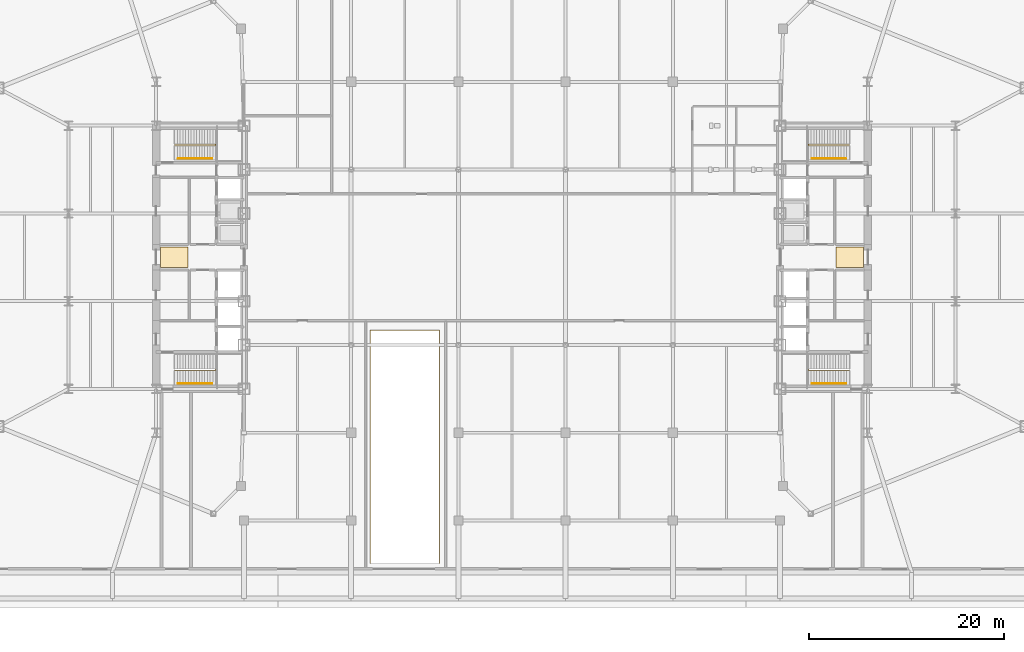
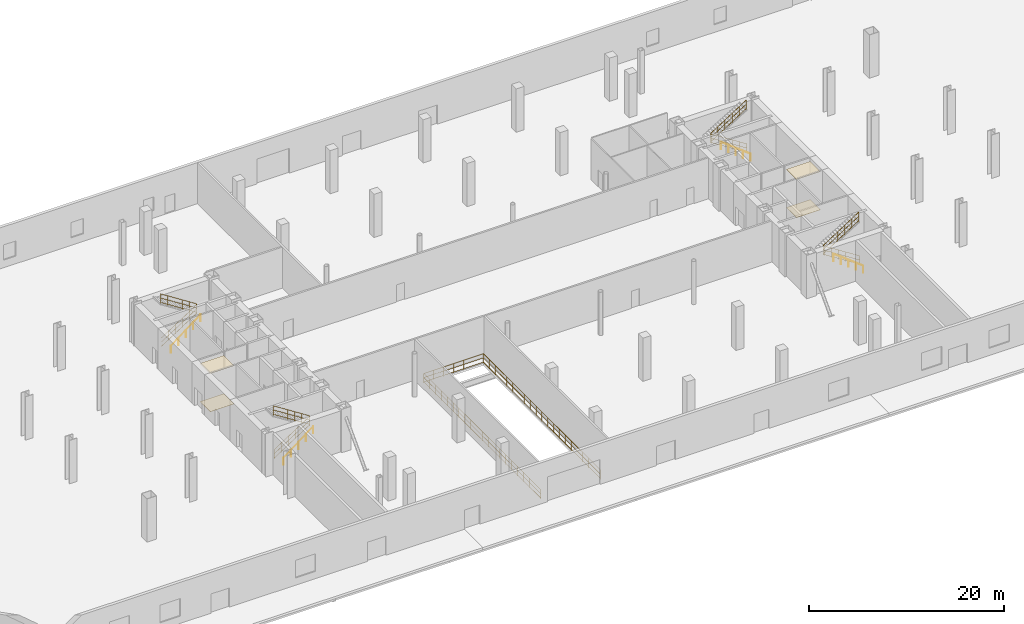
# One storey, part 19 of 21: 9 railings, 4 coverings.
"""IFC4 building model written with IfcOpenShell, lengths in metres."""

from ifc_helpers import new_model, si_unit, direction, frame, origin, origin_2d, place, context, subcontext, project, spatial, polyline, circle, outline, extrude, material, layer, layer_set, type_object, element, save


model = new_model("IFC4")

# Units and contexts
model_context = context("Model", 3, precision=1e-05, world=origin(), true_north=direction((0.0, 1.0)))
body_context = subcontext(model_context, "Body", "Model", "MODEL_VIEW")
ifc_project = project(units=[si_unit("LENGTHUNIT", "METRE"), si_unit("AREAUNIT", "SQUARE_METRE"), si_unit("VOLUMEUNIT", "CUBIC_METRE"), si_unit("PLANEANGLEUNIT", "RADIAN"), si_unit("MASSUNIT", "GRAM", prefix="KILO")], contexts=[model_context])

# Site, building, storey
site_placement = place(None, origin())
site = spatial("IfcSite", under=ifc_project, at=site_placement, CompositionType="ELEMENT")
building_placement = place(site_placement, origin())
building = spatial("IfcBuilding", under=site, at=building_placement, Name="Seokmaru Belvedere", CompositionType="ELEMENT")
storey_placement = place(building_placement, origin())
storey = spatial("IfcBuildingStorey", under=building, at=storey_placement, Name="L00", CompositionType="ELEMENT", Elevation=0.0)

# Coverings
ifc_material_1 = material(Name="Honed Incheon Granite Stone", Category="masonry")
ifc_layer_1 = layer(ifc_material_1, 0.030029296875)
ifc_layer_set_1 = layer_set([ifc_layer_1], Name="Honed Incheon Granite Stone")
covering_type_1 = type_object("IfcCoveringType", Name="Honed Granite Lobby Floor Finish 30", PredefinedType="FLOORING", material=ifc_layer_set_1)
covering_1_placement = place(storey_placement, origin())
element("IfcCovering", 1, at=covering_1_placement, inside=storey, type_object=covering_type_1, Name="L00 W Foyer Floor Finish", PredefinedType="FLOORING", context=body_context, shape_type="SweptSolid", body=[
    extrude(outline(polyline([(-36.050048828125, -1.050048828125), (-33.25, -1.050048828125), (-33.25, 1.050048828125), (-36.050048828125, 1.050048828125), (-36.050048828125, -1.050048828125)])), origin(), (0.0, 0.0, 1.0), 0.030029296875),
])
covering_2_placement = place(storey_placement, origin())
element("IfcCovering", 2, at=covering_2_placement, inside=storey, type_object=covering_type_1, Name="L00 E Foyer Floor Finish", PredefinedType="FLOORING", context=body_context, shape_type="SweptSolid", body=[
    extrude(outline(polyline([(33.25, -1.050048828125), (36.050048828125, -1.050048828125), (36.050048828125, 1.050048828125), (33.25, 1.050048828125), (33.25, -1.050048828125)])), origin(), (0.0, 0.0, 1.0), 0.030029296875),
])
ifc_material_2 = material(Name="Fire-Rated Gypsum Shaftwall")
ifc_layer_2 = layer(ifc_material_2, 0.02490234375)
ifc_layer_set_2 = layer_set([ifc_layer_2], Name="Fire-Rated Gypsum Shaftwall")
covering_type_2 = type_object("IfcCoveringType", Name="Perforated Acoustic Gypsum Suspended Ceiling 25", PredefinedType="CEILING", material=ifc_layer_set_2)
covering_3_placement = place(storey_placement, frame((0.0, 0.0, 4.77001953125)))
element("IfcCovering", 3, at=covering_3_placement, inside=storey, type_object=covering_type_2, Name="L00 W Lift Foyer Acoustic Ceiling", PredefinedType="CEILING", context=body_context, shape_type="SweptSolid", body=[
    extrude(outline(polyline([(-36.050048828125, -1.050048828125), (-33.25, -1.050048828125), (-33.25, 1.050048828125), (-36.050048828125, 1.050048828125), (-36.050048828125, -1.050048828125)])), origin(), (0.0, 0.0, 1.0), 0.02490234375),
])
covering_4_placement = place(storey_placement, frame((0.0, 0.0, 4.77001953125)))
element("IfcCovering", 4, at=covering_4_placement, inside=storey, type_object=covering_type_2, Name="L00 E Lift Foyer Acoustic Ceiling", PredefinedType="CEILING", context=body_context, shape_type="SweptSolid", body=[
    extrude(outline(polyline([(33.25, -1.050048828125), (36.050048828125, -1.050048828125), (36.050048828125, 1.050048828125), (33.25, 1.050048828125), (33.25, -1.050048828125)])), origin(), (0.0, 0.0, 1.0), 0.02490234375),
])

# Railings
ifc_material_3 = material(Name="Stainless Steel 316", Category="steel")
railing_type_1 = type_object("IfcRailingType", Name="Stainless Steel Wall and Flight Handrail 900", PredefinedType="HANDRAIL", material=ifc_material_3)
for number, where, name in (
    (5, (-34.25, -12.949951171875, 0.0), "L00 Stair ST-W1 Wall Handrail"),
    (6, (-34.25, 10.110107421875, 0.0), "L00 Stair ST-W2 Wall Handrail"),
):
    element("IfcRailing", number, at=place(storey_placement, frame(where)), inside=storey, type_object=railing_type_1, Name=name, PredefinedType="HANDRAIL", context=body_context, shape_type="SweptSolid", body=[
        extrude(circle(Radius=0.02392578125, at=origin_2d()), frame((0.0, 0.0, 0.8759765625), z_axis=(0.791787597706, 0.0, 0.610796529229), x_axis=(0.0, 1.0, 0.0)), (0.0, 0.0, 1.0), 4.42041015625),
        extrude(circle(Radius=0.02099609375, at=origin_2d()), origin(), (0.0, 0.0, 1.0), 0.851806640625),
        extrude(circle(Radius=0.02099609375, at=origin_2d()), frame((0.875, 0.0, 0.675048828125)), (0.0, 0.0, 1.0), 0.851806640625),
        extrude(circle(Radius=0.02099609375, at=origin_2d()), frame((1.75, 0.0, 1.35009765625)), (0.0, 0.0, 1.0), 0.851806640625),
        extrude(circle(Radius=0.02099609375, at=origin_2d()), frame((2.625, 0.0, 2.02490234375)), (0.0, 0.0, 1.0), 0.851806640625),
        extrude(circle(Radius=0.02099609375, at=origin_2d()), frame((3.5, 0.0, 2.699951171875)), (0.0, 0.0, 1.0), 0.851806640625),
    ])
for number, where, name in (
    (7, (34.25, -12.949951171875, 0.0), "L00 Stair ST-E1 Wall Handrail"),
    (8, (34.25, 10.110107421875, 0.0), "L00 Stair ST-E2 Wall Handrail"),
):
    element("IfcRailing", number, at=place(storey_placement, frame(where)), inside=storey, type_object=railing_type_1, Name=name, PredefinedType="HANDRAIL", context=body_context, shape_type="SweptSolid", body=[
        extrude(circle(Radius=0.02392578125, at=origin_2d()), frame((0.0, 0.0, 0.8759765625), z_axis=(-0.791787597706, 0.0, 0.610796529229), x_axis=(0.0, -1.0, 0.0)), (0.0, 0.0, 1.0), 4.42041015625),
        extrude(circle(Radius=0.02099609375, at=origin_2d()), origin(), (0.0, 0.0, 1.0), 0.851806640625),
        extrude(circle(Radius=0.02099609375, at=origin_2d()), frame((-0.875, 0.0, 0.675048828125)), (0.0, 0.0, 1.0), 0.851806640625),
        extrude(circle(Radius=0.02099609375, at=origin_2d()), frame((-1.75, 0.0, 1.35009765625)), (0.0, 0.0, 1.0), 0.851806640625),
        extrude(circle(Radius=0.02099609375, at=origin_2d()), frame((-2.625, 0.0, 2.02490234375)), (0.0, 0.0, 1.0), 0.851806640625),
        extrude(circle(Radius=0.02099609375, at=origin_2d()), frame((-3.5, 0.0, 2.699951171875)), (0.0, 0.0, 1.0), 0.851806640625),
    ])
railing_type_2 = type_object("IfcRailingType", Name="Stair Well and Atrium Steel Guardrail 1200", PredefinedType="GUARDRAIL", material=ifc_material_3)
railing_1_placement = place(storey_placement, frame((-34.60009765625, -11.60009765625, 0.0)))
element("IfcRailing", 9, at=railing_1_placement, inside=storey, type_object=railing_type_2, Name="L00 Stair ST-W1 Inner Well Guardrail", PredefinedType="GUARDRAIL", context=body_context, shape_type="SweptSolid", body=[
    extrude(circle(Radius=0.02392578125, at=origin_2d()), frame((0.0, 0.0, 1.17578125), z_axis=(0.841194361566, 0.0, 0.540732878665), x_axis=(0.0, 1.0, 0.0)), (0.0, 0.0, 1.0), 4.9931640625),
    extrude(circle(Radius=0.02392578125, at=origin_2d()), frame((0.0, 0.0, 0.1201171875), z_axis=(0.841194361566, 0.0, 0.540732878665), x_axis=(0.0, 1.0, 0.0)), (0.0, 0.0, 1.0), 4.9931640625),
    extrude(circle(Radius=0.02392578125, at=origin_2d()), frame((0.0, 0.0, 0.659912109375), z_axis=(0.841194361566, 0.0, 0.540732878665), x_axis=(0.0, 1.0, 0.0)), (0.0, 0.0, 1.0), 4.9931640625),
    extrude(circle(Radius=0.02392578125, at=origin_2d()), frame((4.2001953125, 0.0, 3.8759765625), z_axis=(0.0, 1.0, 0.0), x_axis=(-1.0, 0.0, 0.0)), (0.0, 0.0, 1.0), 0.14013671875),
    extrude(circle(Radius=0.02392578125, at=origin_2d()), frame((4.2001953125, 0.0, 2.820068359375), z_axis=(0.0, 1.0, 0.0), x_axis=(-1.0, 0.0, 0.0)), (0.0, 0.0, 1.0), 0.14013671875),
    extrude(circle(Radius=0.02392578125, at=origin_2d()), frame((4.2001953125, 0.0, 3.35986328125), z_axis=(0.0, 1.0, 0.0), x_axis=(-1.0, 0.0, 0.0)), (0.0, 0.0, 1.0), 0.14013671875),
    extrude(circle(Radius=0.02392578125, at=origin_2d()), frame((4.2001953125, 0.14013671875, 3.8759765625), z_axis=(-0.841194361566, 0.0, 0.540732878665), x_axis=(0.0, -1.0, 0.0)), (0.0, 0.0, 1.0), 4.9931640625),
    extrude(circle(Radius=0.02392578125, at=origin_2d()), frame((4.2001953125, 0.14013671875, 2.820068359375), z_axis=(-0.841194361566, 0.0, 0.540732878665), x_axis=(0.0, -1.0, 0.0)), (0.0, 0.0, 1.0), 4.9931640625),
    extrude(circle(Radius=0.02392578125, at=origin_2d()), frame((4.2001953125, 0.14013671875, 3.35986328125), z_axis=(-0.841194361566, 0.0, 0.540732878665), x_axis=(0.0, -1.0, 0.0)), (0.0, 0.0, 1.0), 4.9931640625),
    extrude(circle(Radius=0.02099609375, at=origin_2d()), origin(), (0.0, 0.0, 1.0), 1.15185546875),
    extrude(circle(Radius=0.02099609375, at=origin_2d()), frame((0.840087890625, 0.0, 0.5400390625)), (0.0, 0.0, 1.0), 1.15185546875),
    extrude(circle(Radius=0.02099609375, at=origin_2d()), frame((1.68017578125, 0.0, 1.080078125)), (0.0, 0.0, 1.0), 1.15185546875),
    extrude(circle(Radius=0.02099609375, at=origin_2d()), frame((2.52001953125, 0.0, 1.619873046875)), (0.0, 0.0, 1.0), 1.15185546875),
    extrude(circle(Radius=0.02099609375, at=origin_2d()), frame((3.360107421875, 0.0, 2.159912109375)), (0.0, 0.0, 1.0), 1.15185546875),
    extrude(circle(Radius=0.02099609375, at=origin_2d()), frame((4.2001953125, 0.0, 2.699951171875)), (0.0, 0.0, 1.0), 1.15185546875),
    extrude(circle(Radius=0.02099609375, at=origin_2d()), frame((4.2001953125, 0.14013671875, 2.699951171875)), (0.0, 0.0, 1.0), 1.15185546875),
    extrude(circle(Radius=0.02099609375, at=origin_2d()), frame((3.360107421875, 0.14013671875, 3.239990234375)), (0.0, 0.0, 1.0), 1.15185546875),
    extrude(circle(Radius=0.02099609375, at=origin_2d()), frame((2.52001953125, 0.14013671875, 3.780029296875)), (0.0, 0.0, 1.0), 1.15185546875),
    extrude(circle(Radius=0.02099609375, at=origin_2d()), frame((1.68017578125, 0.14013671875, 4.31982421875)), (0.0, 0.0, 1.0), 1.15185546875),
    extrude(circle(Radius=0.02099609375, at=origin_2d()), frame((0.840087890625, 0.14013671875, 4.85986328125)), (0.0, 0.0, 1.0), 1.15185546875),
    extrude(circle(Radius=0.02099609375, at=origin_2d()), frame((0.0, 0.14013671875, 5.39990234375)), (0.0, 0.0, 1.0), 1.15185546875),
])
railing_2_placement = place(storey_placement, frame((-34.60009765625, 11.4599609375, 0.0)))
element("IfcRailing", 10, at=railing_2_placement, inside=storey, type_object=railing_type_2, Name="L00 Stair ST-W2 Inner Well Guardrail", PredefinedType="GUARDRAIL", context=body_context, shape_type="SweptSolid", body=[
    extrude(circle(Radius=0.02392578125, at=origin_2d()), frame((0.0, 0.0, 1.17578125), z_axis=(0.841194361566, 0.0, 0.540732878665), x_axis=(0.0, 1.0, 0.0)), (0.0, 0.0, 1.0), 4.9931640625),
    extrude(circle(Radius=0.02392578125, at=origin_2d()), frame((0.0, 0.0, 0.1201171875), z_axis=(0.841194361566, 0.0, 0.540732878665), x_axis=(0.0, 1.0, 0.0)), (0.0, 0.0, 1.0), 4.9931640625),
    extrude(circle(Radius=0.02392578125, at=origin_2d()), frame((0.0, 0.0, 0.659912109375), z_axis=(0.841194361566, 0.0, 0.540732878665), x_axis=(0.0, 1.0, 0.0)), (0.0, 0.0, 1.0), 4.9931640625),
    extrude(circle(Radius=0.02392578125, at=origin_2d()), frame((4.2001953125, 0.0, 3.8759765625), z_axis=(0.0, 1.0, 0.0), x_axis=(-1.0, 0.0, 0.0)), (0.0, 0.0, 1.0), 0.14013671875),
    extrude(circle(Radius=0.02392578125, at=origin_2d()), frame((4.2001953125, 0.0, 2.820068359375), z_axis=(0.0, 1.0, 0.0), x_axis=(-1.0, 0.0, 0.0)), (0.0, 0.0, 1.0), 0.14013671875),
    extrude(circle(Radius=0.02392578125, at=origin_2d()), frame((4.2001953125, 0.0, 3.35986328125), z_axis=(0.0, 1.0, 0.0), x_axis=(-1.0, 0.0, 0.0)), (0.0, 0.0, 1.0), 0.14013671875),
    extrude(circle(Radius=0.02392578125, at=origin_2d()), frame((4.2001953125, 0.14013671875, 3.8759765625), z_axis=(-0.841194361566, 0.0, 0.540732878665), x_axis=(0.0, -1.0, 0.0)), (0.0, 0.0, 1.0), 4.9931640625),
    extrude(circle(Radius=0.02392578125, at=origin_2d()), frame((4.2001953125, 0.14013671875, 2.820068359375), z_axis=(-0.841194361566, 0.0, 0.540732878665), x_axis=(0.0, -1.0, 0.0)), (0.0, 0.0, 1.0), 4.9931640625),
    extrude(circle(Radius=0.02392578125, at=origin_2d()), frame((4.2001953125, 0.14013671875, 3.35986328125), z_axis=(-0.841194361566, 0.0, 0.540732878665), x_axis=(0.0, -1.0, 0.0)), (0.0, 0.0, 1.0), 4.9931640625),
    extrude(circle(Radius=0.02099609375, at=origin_2d()), origin(), (0.0, 0.0, 1.0), 1.15185546875),
    extrude(circle(Radius=0.02099609375, at=origin_2d()), frame((0.840087890625, 0.0, 0.5400390625)), (0.0, 0.0, 1.0), 1.15185546875),
    extrude(circle(Radius=0.02099609375, at=origin_2d()), frame((1.68017578125, 0.0, 1.080078125)), (0.0, 0.0, 1.0), 1.15185546875),
    extrude(circle(Radius=0.02099609375, at=origin_2d()), frame((2.52001953125, 0.0, 1.619873046875)), (0.0, 0.0, 1.0), 1.15185546875),
    extrude(circle(Radius=0.02099609375, at=origin_2d()), frame((3.360107421875, 0.0, 2.159912109375)), (0.0, 0.0, 1.0), 1.15185546875),
    extrude(circle(Radius=0.02099609375, at=origin_2d()), frame((4.2001953125, 0.0, 2.699951171875)), (0.0, 0.0, 1.0), 1.15185546875),
    extrude(circle(Radius=0.02099609375, at=origin_2d()), frame((4.2001953125, 0.14013671875, 2.699951171875)), (0.0, 0.0, 1.0), 1.15185546875),
    extrude(circle(Radius=0.02099609375, at=origin_2d()), frame((3.360107421875, 0.14013671875, 3.239990234375)), (0.0, 0.0, 1.0), 1.15185546875),
    extrude(circle(Radius=0.02099609375, at=origin_2d()), frame((2.52001953125, 0.14013671875, 3.780029296875)), (0.0, 0.0, 1.0), 1.15185546875),
    extrude(circle(Radius=0.02099609375, at=origin_2d()), frame((1.68017578125, 0.14013671875, 4.31982421875)), (0.0, 0.0, 1.0), 1.15185546875),
    extrude(circle(Radius=0.02099609375, at=origin_2d()), frame((0.840087890625, 0.14013671875, 4.85986328125)), (0.0, 0.0, 1.0), 1.15185546875),
    extrude(circle(Radius=0.02099609375, at=origin_2d()), frame((0.0, 0.14013671875, 5.39990234375)), (0.0, 0.0, 1.0), 1.15185546875),
])
railing_3_placement = place(storey_placement, frame((34.60009765625, -11.60009765625, 0.0)))
element("IfcRailing", 11, at=railing_3_placement, inside=storey, type_object=railing_type_2, Name="L00 Stair ST-E1 Inner Well Guardrail", PredefinedType="GUARDRAIL", context=body_context, shape_type="SweptSolid", body=[
    extrude(circle(Radius=0.02392578125, at=origin_2d()), frame((0.0, 0.0, 1.17578125), z_axis=(-0.841194361566, 0.0, 0.540732878665), x_axis=(0.0, -1.0, 0.0)), (0.0, 0.0, 1.0), 4.9931640625),
    extrude(circle(Radius=0.02392578125, at=origin_2d()), frame((0.0, 0.0, 0.1201171875), z_axis=(-0.841194361566, 0.0, 0.540732878665), x_axis=(0.0, -1.0, 0.0)), (0.0, 0.0, 1.0), 4.9931640625),
    extrude(circle(Radius=0.02392578125, at=origin_2d()), frame((0.0, 0.0, 0.659912109375), z_axis=(-0.841194361566, 0.0, 0.540732878665), x_axis=(0.0, -1.0, 0.0)), (0.0, 0.0, 1.0), 4.9931640625),
    extrude(circle(Radius=0.02392578125, at=origin_2d()), frame((-4.2001953125, 0.0, 3.8759765625), z_axis=(0.0, 1.0, 0.0), x_axis=(-1.0, 0.0, 0.0)), (0.0, 0.0, 1.0), 0.14013671875),
    extrude(circle(Radius=0.02392578125, at=origin_2d()), frame((-4.2001953125, 0.0, 2.820068359375), z_axis=(0.0, 1.0, 0.0), x_axis=(-1.0, 0.0, 0.0)), (0.0, 0.0, 1.0), 0.14013671875),
    extrude(circle(Radius=0.02392578125, at=origin_2d()), frame((-4.2001953125, 0.0, 3.35986328125), z_axis=(0.0, 1.0, 0.0), x_axis=(-1.0, 0.0, 0.0)), (0.0, 0.0, 1.0), 0.14013671875),
    extrude(circle(Radius=0.02392578125, at=origin_2d()), frame((-4.2001953125, 0.14013671875, 3.8759765625), z_axis=(0.841194361566, 0.0, 0.540732878665), x_axis=(0.0, 1.0, 0.0)), (0.0, 0.0, 1.0), 4.9931640625),
    extrude(circle(Radius=0.02392578125, at=origin_2d()), frame((-4.2001953125, 0.14013671875, 2.820068359375), z_axis=(0.841194361566, 0.0, 0.540732878665), x_axis=(0.0, 1.0, 0.0)), (0.0, 0.0, 1.0), 4.9931640625),
    extrude(circle(Radius=0.02392578125, at=origin_2d()), frame((-4.2001953125, 0.14013671875, 3.35986328125), z_axis=(0.841194361566, 0.0, 0.540732878665), x_axis=(0.0, 1.0, 0.0)), (0.0, 0.0, 1.0), 4.9931640625),
    extrude(circle(Radius=0.02099609375, at=origin_2d()), origin(), (0.0, 0.0, 1.0), 1.15185546875),
    extrude(circle(Radius=0.02099609375, at=origin_2d()), frame((-0.840087890625, 0.0, 0.5400390625)), (0.0, 0.0, 1.0), 1.15185546875),
    extrude(circle(Radius=0.02099609375, at=origin_2d()), frame((-1.68017578125, 0.0, 1.080078125)), (0.0, 0.0, 1.0), 1.15185546875),
    extrude(circle(Radius=0.02099609375, at=origin_2d()), frame((-2.52001953125, 0.0, 1.619873046875)), (0.0, 0.0, 1.0), 1.15185546875),
    extrude(circle(Radius=0.02099609375, at=origin_2d()), frame((-3.360107421875, 0.0, 2.159912109375)), (0.0, 0.0, 1.0), 1.15185546875),
    extrude(circle(Radius=0.02099609375, at=origin_2d()), frame((-4.2001953125, 0.0, 2.699951171875)), (0.0, 0.0, 1.0), 1.15185546875),
    extrude(circle(Radius=0.02099609375, at=origin_2d()), frame((-4.2001953125, 0.14013671875, 2.699951171875)), (0.0, 0.0, 1.0), 1.15185546875),
    extrude(circle(Radius=0.02099609375, at=origin_2d()), frame((-3.360107421875, 0.14013671875, 3.239990234375)), (0.0, 0.0, 1.0), 1.15185546875),
    extrude(circle(Radius=0.02099609375, at=origin_2d()), frame((-2.52001953125, 0.14013671875, 3.780029296875)), (0.0, 0.0, 1.0), 1.15185546875),
    extrude(circle(Radius=0.02099609375, at=origin_2d()), frame((-1.68017578125, 0.14013671875, 4.31982421875)), (0.0, 0.0, 1.0), 1.15185546875),
    extrude(circle(Radius=0.02099609375, at=origin_2d()), frame((-0.840087890625, 0.14013671875, 4.85986328125)), (0.0, 0.0, 1.0), 1.15185546875),
    extrude(circle(Radius=0.02099609375, at=origin_2d()), frame((0.0, 0.14013671875, 5.39990234375)), (0.0, 0.0, 1.0), 1.15185546875),
])
railing_4_placement = place(storey_placement, frame((34.60009765625, 11.4599609375, 0.0)))
element("IfcRailing", 12, at=railing_4_placement, inside=storey, type_object=railing_type_2, Name="L00 Stair ST-E2 Inner Well Guardrail", PredefinedType="GUARDRAIL", context=body_context, shape_type="SweptSolid", body=[
    extrude(circle(Radius=0.02392578125, at=origin_2d()), frame((0.0, 0.0, 1.17578125), z_axis=(-0.841194361566, 0.0, 0.540732878665), x_axis=(0.0, -1.0, 0.0)), (0.0, 0.0, 1.0), 4.9931640625),
    extrude(circle(Radius=0.02392578125, at=origin_2d()), frame((0.0, 0.0, 0.1201171875), z_axis=(-0.841194361566, 0.0, 0.540732878665), x_axis=(0.0, -1.0, 0.0)), (0.0, 0.0, 1.0), 4.9931640625),
    extrude(circle(Radius=0.02392578125, at=origin_2d()), frame((0.0, 0.0, 0.659912109375), z_axis=(-0.841194361566, 0.0, 0.540732878665), x_axis=(0.0, -1.0, 0.0)), (0.0, 0.0, 1.0), 4.9931640625),
    extrude(circle(Radius=0.02392578125, at=origin_2d()), frame((-4.2001953125, 0.0, 3.8759765625), z_axis=(0.0, 1.0, 0.0), x_axis=(-1.0, 0.0, 0.0)), (0.0, 0.0, 1.0), 0.14013671875),
    extrude(circle(Radius=0.02392578125, at=origin_2d()), frame((-4.2001953125, 0.0, 2.820068359375), z_axis=(0.0, 1.0, 0.0), x_axis=(-1.0, 0.0, 0.0)), (0.0, 0.0, 1.0), 0.14013671875),
    extrude(circle(Radius=0.02392578125, at=origin_2d()), frame((-4.2001953125, 0.0, 3.35986328125), z_axis=(0.0, 1.0, 0.0), x_axis=(-1.0, 0.0, 0.0)), (0.0, 0.0, 1.0), 0.14013671875),
    extrude(circle(Radius=0.02392578125, at=origin_2d()), frame((-4.2001953125, 0.14013671875, 3.8759765625), z_axis=(0.841194361566, 0.0, 0.540732878665), x_axis=(0.0, 1.0, 0.0)), (0.0, 0.0, 1.0), 4.9931640625),
    extrude(circle(Radius=0.02392578125, at=origin_2d()), frame((-4.2001953125, 0.14013671875, 2.820068359375), z_axis=(0.841194361566, 0.0, 0.540732878665), x_axis=(0.0, 1.0, 0.0)), (0.0, 0.0, 1.0), 4.9931640625),
    extrude(circle(Radius=0.02392578125, at=origin_2d()), frame((-4.2001953125, 0.14013671875, 3.35986328125), z_axis=(0.841194361566, 0.0, 0.540732878665), x_axis=(0.0, 1.0, 0.0)), (0.0, 0.0, 1.0), 4.9931640625),
    extrude(circle(Radius=0.02099609375, at=origin_2d()), origin(), (0.0, 0.0, 1.0), 1.15185546875),
    extrude(circle(Radius=0.02099609375, at=origin_2d()), frame((-0.840087890625, 0.0, 0.5400390625)), (0.0, 0.0, 1.0), 1.15185546875),
    extrude(circle(Radius=0.02099609375, at=origin_2d()), frame((-1.68017578125, 0.0, 1.080078125)), (0.0, 0.0, 1.0), 1.15185546875),
    extrude(circle(Radius=0.02099609375, at=origin_2d()), frame((-2.52001953125, 0.0, 1.619873046875)), (0.0, 0.0, 1.0), 1.15185546875),
    extrude(circle(Radius=0.02099609375, at=origin_2d()), frame((-3.360107421875, 0.0, 2.159912109375)), (0.0, 0.0, 1.0), 1.15185546875),
    extrude(circle(Radius=0.02099609375, at=origin_2d()), frame((-4.2001953125, 0.0, 2.699951171875)), (0.0, 0.0, 1.0), 1.15185546875),
    extrude(circle(Radius=0.02099609375, at=origin_2d()), frame((-4.2001953125, 0.14013671875, 2.699951171875)), (0.0, 0.0, 1.0), 1.15185546875),
    extrude(circle(Radius=0.02099609375, at=origin_2d()), frame((-3.360107421875, 0.14013671875, 3.239990234375)), (0.0, 0.0, 1.0), 1.15185546875),
    extrude(circle(Radius=0.02099609375, at=origin_2d()), frame((-2.52001953125, 0.14013671875, 3.780029296875)), (0.0, 0.0, 1.0), 1.15185546875),
    extrude(circle(Radius=0.02099609375, at=origin_2d()), frame((-1.68017578125, 0.14013671875, 4.31982421875)), (0.0, 0.0, 1.0), 1.15185546875),
    extrude(circle(Radius=0.02099609375, at=origin_2d()), frame((-0.840087890625, 0.14013671875, 4.85986328125)), (0.0, 0.0, 1.0), 1.15185546875),
    extrude(circle(Radius=0.02099609375, at=origin_2d()), frame((0.0, 0.14013671875, 5.39990234375)), (0.0, 0.0, 1.0), 1.15185546875),
])
railing_5_placement = place(storey_placement, frame((-14.52001953125, -31.419921875, 0.0)))
element("IfcRailing", 13, at=railing_5_placement, inside=storey, type_object=railing_type_2, Name="L00 Vehicle Ramp Void Guardrail", PredefinedType="GUARDRAIL", context=body_context, shape_type="SweptSolid", body=[
    extrude(circle(Radius=0.02392578125, at=origin_2d()), frame((0.0, 0.0, 1.17578125), z_axis=(0.0, 1.0, 0.0), x_axis=(-1.0, 0.0, 0.0)), (0.0, 0.0, 1.0), 23.93994140625),
    extrude(circle(Radius=0.02392578125, at=origin_2d()), frame((0.0, 0.0, 0.1201171875), z_axis=(0.0, 1.0, 0.0), x_axis=(-1.0, 0.0, 0.0)), (0.0, 0.0, 1.0), 23.93994140625),
    extrude(circle(Radius=0.02392578125, at=origin_2d()), frame((0.0, 0.0, 0.659912109375), z_axis=(0.0, 1.0, 0.0), x_axis=(-1.0, 0.0, 0.0)), (0.0, 0.0, 1.0), 23.93994140625),
    extrude(circle(Radius=0.02392578125, at=origin_2d()), frame((0.0, 23.93994140625, 1.17578125), z_axis=(1.0, 0.0, 0.0), x_axis=(0.0, 1.0, 0.0)), (0.0, 0.0, 1.0), 7.0400390625),
    extrude(circle(Radius=0.02392578125, at=origin_2d()), frame((0.0, 23.93994140625, 0.1201171875), z_axis=(1.0, 0.0, 0.0), x_axis=(0.0, 1.0, 0.0)), (0.0, 0.0, 1.0), 7.0400390625),
    extrude(circle(Radius=0.02392578125, at=origin_2d()), frame((0.0, 23.93994140625, 0.659912109375), z_axis=(1.0, 0.0, 0.0), x_axis=(0.0, 1.0, 0.0)), (0.0, 0.0, 1.0), 7.0400390625),
    extrude(circle(Radius=0.02392578125, at=origin_2d()), frame((7.0400390625, 23.93994140625, 1.17578125), z_axis=(0.0, -1.0, 0.0), x_axis=(1.0, 0.0, 0.0)), (0.0, 0.0, 1.0), 23.93994140625),
    extrude(circle(Radius=0.02392578125, at=origin_2d()), frame((7.0400390625, 23.93994140625, 0.1201171875), z_axis=(0.0, -1.0, 0.0), x_axis=(1.0, 0.0, 0.0)), (0.0, 0.0, 1.0), 23.93994140625),
    extrude(circle(Radius=0.02392578125, at=origin_2d()), frame((7.0400390625, 23.93994140625, 0.659912109375), z_axis=(0.0, -1.0, 0.0), x_axis=(1.0, 0.0, 0.0)), (0.0, 0.0, 1.0), 23.93994140625),
    extrude(circle(Radius=0.02099609375, at=origin_2d()), origin(), (0.0, 0.0, 1.0), 1.15185546875),
    extrude(circle(Radius=0.02099609375, at=origin_2d()), frame((0.0, 1.197021484375, 0.0)), (0.0, 0.0, 1.0), 1.15185546875),
    extrude(circle(Radius=0.02099609375, at=origin_2d()), frame((0.0, 2.39404296875, 0.0)), (0.0, 0.0, 1.0), 1.15185546875),
    extrude(circle(Radius=0.02099609375, at=origin_2d()), frame((0.0, 3.591064453125, 0.0)), (0.0, 0.0, 1.0), 1.15185546875),
    extrude(circle(Radius=0.02099609375, at=origin_2d()), frame((0.0, 4.7880859375, 0.0)), (0.0, 0.0, 1.0), 1.15185546875),
    extrude(circle(Radius=0.02099609375, at=origin_2d()), frame((0.0, 5.98486328125, 0.0)), (0.0, 0.0, 1.0), 1.15185546875),
    extrude(circle(Radius=0.02099609375, at=origin_2d()), frame((0.0, 7.181884765625, 0.0)), (0.0, 0.0, 1.0), 1.15185546875),
    extrude(circle(Radius=0.02099609375, at=origin_2d()), frame((0.0, 8.37890625, 0.0)), (0.0, 0.0, 1.0), 1.15185546875),
    extrude(circle(Radius=0.02099609375, at=origin_2d()), frame((0.0, 9.575927734375, 0.0)), (0.0, 0.0, 1.0), 1.15185546875),
    extrude(circle(Radius=0.02099609375, at=origin_2d()), frame((0.0, 10.77294921875, 0.0)), (0.0, 0.0, 1.0), 1.15185546875),
    extrude(circle(Radius=0.02099609375, at=origin_2d()), frame((0.0, 11.969970703125, 0.0)), (0.0, 0.0, 1.0), 1.15185546875),
    extrude(circle(Radius=0.02099609375, at=origin_2d()), frame((0.0, 13.1669921875, 0.0)), (0.0, 0.0, 1.0), 1.15185546875),
    extrude(circle(Radius=0.02099609375, at=origin_2d()), frame((0.0, 14.364013671875, 0.0)), (0.0, 0.0, 1.0), 1.15185546875),
    extrude(circle(Radius=0.02099609375, at=origin_2d()), frame((0.0, 15.56103515625, 0.0)), (0.0, 0.0, 1.0), 1.15185546875),
    extrude(circle(Radius=0.02099609375, at=origin_2d()), frame((0.0, 16.758056640625, 0.0)), (0.0, 0.0, 1.0), 1.15185546875),
    extrude(circle(Radius=0.02099609375, at=origin_2d()), frame((0.0, 17.955078125, 0.0)), (0.0, 0.0, 1.0), 1.15185546875),
    extrude(circle(Radius=0.02099609375, at=origin_2d()), frame((0.0, 19.15185546875, 0.0)), (0.0, 0.0, 1.0), 1.15185546875),
    extrude(circle(Radius=0.02099609375, at=origin_2d()), frame((0.0, 20.348876953125, 0.0)), (0.0, 0.0, 1.0), 1.15185546875),
    extrude(circle(Radius=0.02099609375, at=origin_2d()), frame((0.0, 21.5458984375, 0.0)), (0.0, 0.0, 1.0), 1.15185546875),
    extrude(circle(Radius=0.02099609375, at=origin_2d()), frame((0.0, 22.742919921875, 0.0)), (0.0, 0.0, 1.0), 1.15185546875),
    extrude(circle(Radius=0.02099609375, at=origin_2d()), frame((0.0, 23.93994140625, 0.0)), (0.0, 0.0, 1.0), 1.15185546875),
    extrude(circle(Radius=0.02099609375, at=origin_2d()), frame((1.17333984375, 23.93994140625, 0.0)), (0.0, 0.0, 1.0), 1.15185546875),
    extrude(circle(Radius=0.02099609375, at=origin_2d()), frame((2.3466796875, 23.93994140625, 0.0)), (0.0, 0.0, 1.0), 1.15185546875),
    extrude(circle(Radius=0.02099609375, at=origin_2d()), frame((3.52001953125, 23.93994140625, 0.0)), (0.0, 0.0, 1.0), 1.15185546875),
    extrude(circle(Radius=0.02099609375, at=origin_2d()), frame((4.693359375, 23.93994140625, 0.0)), (0.0, 0.0, 1.0), 1.15185546875),
    extrude(circle(Radius=0.02099609375, at=origin_2d()), frame((5.86669921875, 23.93994140625, 0.0)), (0.0, 0.0, 1.0), 1.15185546875),
    extrude(circle(Radius=0.02099609375, at=origin_2d()), frame((7.0400390625, 23.93994140625, 0.0)), (0.0, 0.0, 1.0), 1.15185546875),
    extrude(circle(Radius=0.02099609375, at=origin_2d()), frame((7.0400390625, 22.742919921875, 0.0)), (0.0, 0.0, 1.0), 1.15185546875),
    extrude(circle(Radius=0.02099609375, at=origin_2d()), frame((7.0400390625, 21.5458984375, 0.0)), (0.0, 0.0, 1.0), 1.15185546875),
    extrude(circle(Radius=0.02099609375, at=origin_2d()), frame((7.0400390625, 20.348876953125, 0.0)), (0.0, 0.0, 1.0), 1.15185546875),
    extrude(circle(Radius=0.02099609375, at=origin_2d()), frame((7.0400390625, 19.15185546875, 0.0)), (0.0, 0.0, 1.0), 1.15185546875),
    extrude(circle(Radius=0.02099609375, at=origin_2d()), frame((7.0400390625, 17.955078125, 0.0)), (0.0, 0.0, 1.0), 1.15185546875),
    extrude(circle(Radius=0.02099609375, at=origin_2d()), frame((7.0400390625, 16.758056640625, 0.0)), (0.0, 0.0, 1.0), 1.15185546875),
    extrude(circle(Radius=0.02099609375, at=origin_2d()), frame((7.0400390625, 15.56103515625, 0.0)), (0.0, 0.0, 1.0), 1.15185546875),
    extrude(circle(Radius=0.02099609375, at=origin_2d()), frame((7.0400390625, 14.364013671875, 0.0)), (0.0, 0.0, 1.0), 1.15185546875),
    extrude(circle(Radius=0.02099609375, at=origin_2d()), frame((7.0400390625, 13.1669921875, 0.0)), (0.0, 0.0, 1.0), 1.15185546875),
    extrude(circle(Radius=0.02099609375, at=origin_2d()), frame((7.0400390625, 11.969970703125, 0.0)), (0.0, 0.0, 1.0), 1.15185546875),
    extrude(circle(Radius=0.02099609375, at=origin_2d()), frame((7.0400390625, 10.77294921875, 0.0)), (0.0, 0.0, 1.0), 1.15185546875),
    extrude(circle(Radius=0.02099609375, at=origin_2d()), frame((7.0400390625, 9.575927734375, 0.0)), (0.0, 0.0, 1.0), 1.15185546875),
    extrude(circle(Radius=0.02099609375, at=origin_2d()), frame((7.0400390625, 8.37890625, 0.0)), (0.0, 0.0, 1.0), 1.15185546875),
    extrude(circle(Radius=0.02099609375, at=origin_2d()), frame((7.0400390625, 7.181884765625, 0.0)), (0.0, 0.0, 1.0), 1.15185546875),
    extrude(circle(Radius=0.02099609375, at=origin_2d()), frame((7.0400390625, 5.98486328125, 0.0)), (0.0, 0.0, 1.0), 1.15185546875),
    extrude(circle(Radius=0.02099609375, at=origin_2d()), frame((7.0400390625, 4.7880859375, 0.0)), (0.0, 0.0, 1.0), 1.15185546875),
    extrude(circle(Radius=0.02099609375, at=origin_2d()), frame((7.0400390625, 3.591064453125, 0.0)), (0.0, 0.0, 1.0), 1.15185546875),
    extrude(circle(Radius=0.02099609375, at=origin_2d()), frame((7.0400390625, 2.39404296875, 0.0)), (0.0, 0.0, 1.0), 1.15185546875),
    extrude(circle(Radius=0.02099609375, at=origin_2d()), frame((7.0400390625, 1.197021484375, 0.0)), (0.0, 0.0, 1.0), 1.15185546875),
    extrude(circle(Radius=0.02099609375, at=origin_2d()), frame((7.0400390625, 0.0, 0.0)), (0.0, 0.0, 1.0), 1.15185546875),
])

save(model, "model.ifc")
